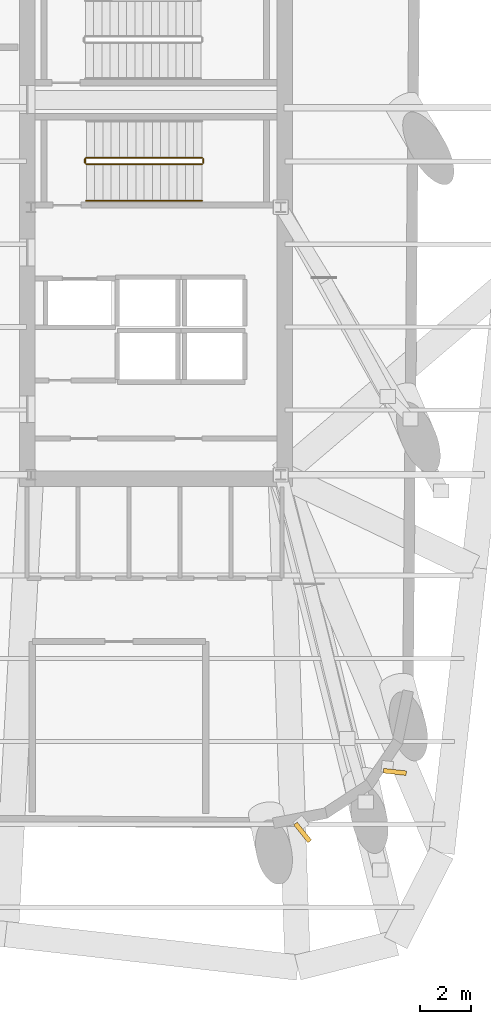
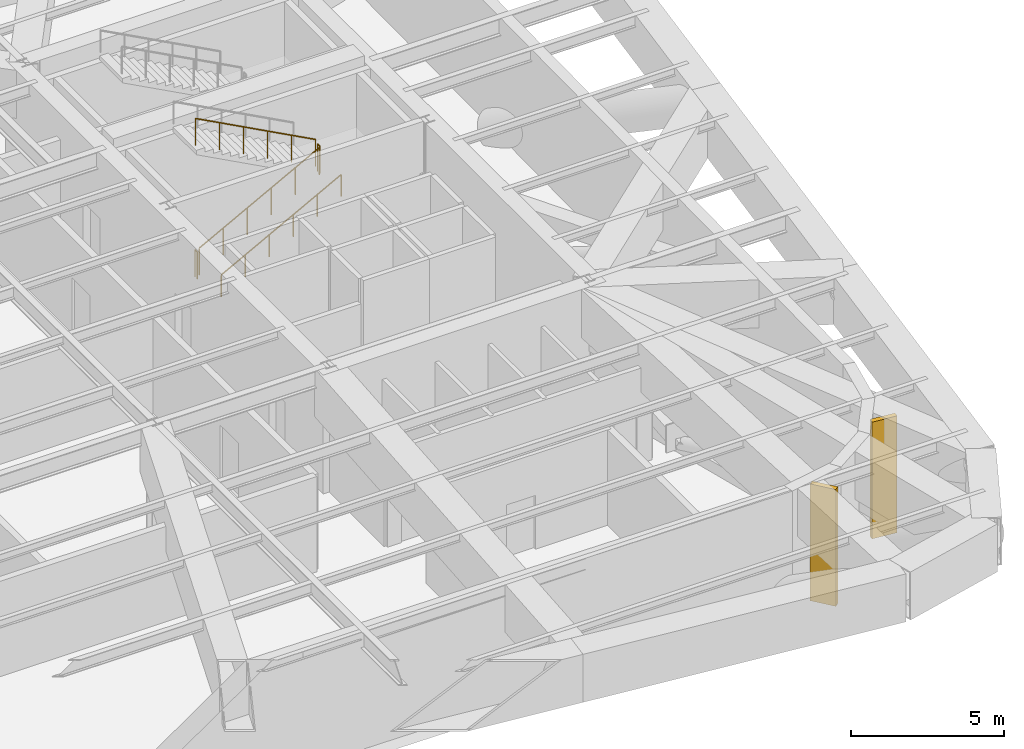
# One storey, part 11 of 13: 5 railings, 2 shading devices.
"""IFC4 building model written with IfcOpenShell, lengths in metres."""

import ifcopenshell
import ifcopenshell.guid

model = None  # the IFC model being written
_history = None  # IfcOwnerHistory: only IFC2X3 demands one
_inside = {}  # id of a spatial element -> (the spatial element, [elements in it])
_under = {}  # id of a project, library or spatial element -> (it, [spatial elements below it])
_declared = {}  # id of a project -> (the project, [libraries it declares])
_typed = {}  # id of a type object -> (the type object, [elements of that type])
_made_of = {}  # id of a material, layer set ... -> (it, [elements and type objects made of it])


def new_model(schema):
    """Start an empty IFC model of exactly this schema.

    Asked for "IFC4X3", IfcOpenShell would pick the latest addendum, in which some entities
    have other attributes; the version numbers below select the first issue.
    IFC2X3 requires an IfcOwnerHistory on every rooted entity: one is made here for all.
    """
    global model, _history
    if schema == "IFC4X3":
        model = ifcopenshell.file(schema_version=(4, 3, 0, 0))
    else:
        model = ifcopenshell.file(schema=schema)
    _inside.clear()
    _under.clear()
    _declared.clear()
    _typed.clear()
    _made_of.clear()
    _history = None
    if model.schema == "IFC2X3":
        org = make("IfcOrganization", Name="unknown")
        user = make(
            "IfcPersonAndOrganization",
            ThePerson=make("IfcPerson", FamilyName="unknown"),
            TheOrganization=org,
        )
        app = make(
            "IfcApplication",
            ApplicationDeveloper=org,
            Version="unknown",
            ApplicationFullName="unknown",
            ApplicationIdentifier="unknown",
        )
        _history = make(
            "IfcOwnerHistory",
            OwningUser=user,
            OwningApplication=app,
            ChangeAction="ADDED",
            CreationDate=0,
        )
    return model


def make(cls, **values):
    """One entity of the class cls with the attributes given. An attribute that is None is left unset."""
    return model.create_entity(
        cls, **{name: value for name, value in values.items() if value is not None}
    )


def rooted(cls, **values):
    """An entity with a GlobalId (a new one), such as an element, a storey or a relation."""
    return make(cls, GlobalId=ifcopenshell.guid.new(), OwnerHistory=_history, **values)


def si_unit(unit_type, name, prefix=None):
    """IfcSIUnit, for example si_unit("LENGTHUNIT", "METRE", prefix="MILLI")."""
    return make("IfcSIUnit", UnitType=unit_type, Prefix=prefix, Name=name)


def assignment(units):
    """IfcUnitAssignment: the units of a project."""
    return None if units is None else make("IfcUnitAssignment", Units=units)


def point(xyz):
    """IfcCartesianPoint."""
    return None if xyz is None else make("IfcCartesianPoint", Coordinates=xyz)


def direction(xyz):
    """IfcDirection."""
    return None if xyz is None else make("IfcDirection", DirectionRatios=xyz)


def frame(location, z_axis=None, x_axis=None):
    """IfcAxis2Placement3D, a coordinate frame: its origin and axes. An axis left out is left unset."""
    return make(
        "IfcAxis2Placement3D",
        Location=point(location),
        Axis=direction(z_axis),
        RefDirection=direction(x_axis),
    )


def frame_2d(location, x_axis=None):
    """IfcAxis2Placement2D, a coordinate frame in the plane: its origin and x axis."""
    return make(
        "IfcAxis2Placement2D", Location=point(location), RefDirection=direction(x_axis)
    )


def origin():
    """The frame at (0, 0, 0) with its axes left unset."""
    return frame((0.0, 0.0, 0.0))


def origin_2d():
    """The frame at (0, 0) in the plane with its x axis left unset."""
    return frame_2d((0.0, 0.0))


def place(relative_to, where):
    """IfcLocalPlacement: puts the frame where relative to a parent placement (None: the world)."""
    return make(
        "IfcLocalPlacement", PlacementRelTo=relative_to, RelativePlacement=where
    )


def context(
    kind, dimensions, precision=None, world=None, true_north=None, identifier=None
):
    """IfcGeometricRepresentationContext, for example the 3D "Model" context."""
    return make(
        "IfcGeometricRepresentationContext",
        ContextIdentifier=identifier,
        ContextType=kind,
        CoordinateSpaceDimension=dimensions,
        Precision=precision,
        WorldCoordinateSystem=world,
        TrueNorth=true_north,
    )


def subcontext(parent, identifier, kind, view, scale=None):
    """IfcGeometricRepresentationSubContext, for example "Body" below "Model"."""
    return make(
        "IfcGeometricRepresentationSubContext",
        ContextIdentifier=identifier,
        ContextType=kind,
        ParentContext=parent,
        TargetScale=scale,
        TargetView=view,
    )


def project(units=None, contexts=None):
    """IfcProject with its units and contexts."""
    return rooted(
        "IfcProject",
        Name="project",
        RepresentationContexts=contexts,
        UnitsInContext=assignment(units),
    )


def spatial(cls, under=None, at=None, **own):
    """A site, building, storey or space (cls), placed at a placement, below another one or the project."""
    s = rooted(cls, ObjectPlacement=at, **own)
    if under is not None:
        _under.setdefault(under.id(), (under, []))[1].append(s)
    return s


def profile(cls, at=None, kind="AREA", **sizes):
    """A parametric profile (cls). Its sizes go by their IFC names, for example OverallWidth=200.0."""
    return make(cls, ProfileType=kind, Position=at, **sizes)


def rectangle(**sizes):
    """IfcRectangleProfileDef."""
    return profile("IfcRectangleProfileDef", **sizes)


def circle(**sizes):
    """IfcCircleProfileDef."""
    return profile("IfcCircleProfileDef", **sizes)


def extrude(swept, where, along, depth):
    """IfcExtrudedAreaSolid: the profile swept, set in the frame where, extruded along a direction by depth."""
    return make(
        "IfcExtrudedAreaSolid",
        SweptArea=swept,
        Position=where,
        ExtrudedDirection=direction(along),
        Depth=depth,
    )


def shape(context_of_items, identifier, shape_type, items):
    """IfcShapeRepresentation: the items that make up one representation, for example the "Body"."""
    return make(
        "IfcShapeRepresentation",
        ContextOfItems=context_of_items,
        RepresentationIdentifier=identifier,
        RepresentationType=shape_type,
        Items=items,
    )


def material(Name=None, Category=None):
    """IfcMaterial."""
    return make("IfcMaterial", Name=Name, Category=Category)


def made_of(thing, what):
    """Note that an element or type object is made of a material, layer set ...; save() writes the relation."""
    if what is not None:
        _made_of.setdefault(what.id(), (what, []))[1].append(thing)
    return thing


def type_object(cls, material=None, **own):
    """A type object (cls), such as IfcWallType, which elements share."""
    return made_of(rooted(cls, **own), material)


def element(
    cls,
    number,
    at=None,
    inside=None,
    cuts=None,
    type_object=None,
    material=None,
    context=None,
    identifier="Body",
    shape_type=None,
    held_by="IfcProductDefinitionShape",
    body=None,
    shapes=None,
    **own,
):
    """One element of the class cls, such as IfcWall. Its Tag is "e" and its number.

    at: its placement. inside: the storey or other place that contains it. cuts: it is an
    opening in that element (IfcRelVoidsElement). A single representation is given by context,
    identifier, shape_type and body (its items); several are given by shapes. held_by: the class
    of the entity that holds the representations. save() writes the other relations.
    """
    e = rooted(cls, Tag="e%d" % number, ObjectPlacement=at, **own)
    if body is not None:
        shapes = [shape(context, identifier, shape_type, body)]
    if shapes is not None:
        e.Representation = make(held_by, Representations=shapes)
    if inside is not None:
        _inside.setdefault(inside.id(), (inside, []))[1].append(e)
    if cuts is not None:
        rooted(
            "IfcRelVoidsElement", RelatingBuildingElement=cuts, RelatedOpeningElement=e
        )
    if type_object is not None:
        _typed.setdefault(type_object.id(), (type_object, []))[1].append(e)
    return made_of(e, material)


def aggregate(whole, parts):
    """IfcRelAggregates: a whole, such as a stair, and the parts it consists of."""
    return rooted("IfcRelAggregates", RelatingObject=whole, RelatedObjects=parts)


def save(model, path):
    """Write the relations noted so far, then the file.

    IfcRelAggregates (storeys below a building ...), IfcRelContainedInSpatialStructure (elements
    in a storey), IfcRelDefinesByType, IfcRelAssociatesMaterial and IfcRelDeclares: one each for
    every whole, place, type object, material and project.
    """
    for whole, parts in _under.values():
        aggregate(whole, parts)
    for where, things in _inside.values():
        rooted(
            "IfcRelContainedInSpatialStructure",
            RelatedElements=things,
            RelatingStructure=where,
        )
    for kind, things in _typed.values():
        rooted("IfcRelDefinesByType", RelatedObjects=things, RelatingType=kind)
    for what, things in _made_of.values():
        rooted("IfcRelAssociatesMaterial", RelatedObjects=things, RelatingMaterial=what)
    for by, libraries in _declared.values():
        rooted("IfcRelDeclares", RelatingContext=by, RelatedDefinitions=libraries)
    model.write(path)


model = new_model("IFC4")

# Units and contexts
model_context = context("Model", 3, precision=1e-05, world=origin(), true_north=direction((0.0, 1.0)))
body_context = subcontext(model_context, "Body", "Model", "MODEL_VIEW")
ifc_project = project(units=[si_unit("LENGTHUNIT", "METRE"), si_unit("AREAUNIT", "SQUARE_METRE"), si_unit("VOLUMEUNIT", "CUBIC_METRE"), si_unit("PLANEANGLEUNIT", "RADIAN"), si_unit("MASSUNIT", "GRAM", prefix="KILO")], contexts=[model_context])

# Site, building, storey
site_placement = place(None, origin())
site = spatial("IfcSite", under=ifc_project, at=site_placement, CompositionType="ELEMENT")
building_placement = place(site_placement, origin())
building = spatial("IfcBuilding", under=site, at=building_placement, Name="Kolvaren Arena Tower", CompositionType="ELEMENT")
storey_placement = place(building_placement, frame((0.0, 0.0, 210.949951171875)))
storey = spatial("IfcBuildingStorey", under=building, at=storey_placement, Name="L51", CompositionType="ELEMENT", Elevation=210.949951171875)

# Railings
ifc_material_1 = material(Name="Painted galvanized steel", Category="steel")
railing_type_1 = type_object("IfcRailingType", Name="GUARD-ST-110", PredefinedType="GUARDRAIL", material=ifc_material_1)
railing_1_placement = place(storey_placement, frame((52.719970703125, 31.639892578125, 0.17333984375)))
element("IfcRailing", 1, at=railing_1_placement, inside=storey, type_object=railing_type_1, Name="L51 ST-E1 stair guard 1", PredefinedType="GUARDRAIL", context=body_context, shape_type="SweptSolid", body=[
    extrude(circle(Radius=0.02392578125, at=origin_2d()), frame((0.0, 0.0, 1.076171875), z_axis=(0.88174791909, 0.0, 0.471720899664), x_axis=(0.0, 1.0, 0.0)), (0.0, 0.0, 1.0), 5.14453125),
    extrude(circle(Radius=0.02099609375, at=origin_2d()), origin(), (0.0, 0.0, 1.0), 1.052001953125),
    extrude(circle(Radius=0.02099609375, at=origin_2d()), frame((0.9072265625, 0.0, 0.4853515625)), (0.0, 0.0, 1.0), 1.052001953125),
    extrude(circle(Radius=0.02099609375, at=origin_2d()), frame((1.814453125, 0.0, 0.970703125)), (0.0, 0.0, 1.0), 1.052001953125),
    extrude(circle(Radius=0.02099609375, at=origin_2d()), frame((2.7216796875, 0.0, 1.4560546875)), (0.0, 0.0, 1.0), 1.052001953125),
    extrude(circle(Radius=0.02099609375, at=origin_2d()), frame((3.62890625, 0.0, 1.94140625)), (0.0, 0.0, 1.0), 1.052001953125),
    extrude(circle(Radius=0.02099609375, at=origin_2d()), frame((4.5361328125, 0.0, 2.4267578125)), (0.0, 0.0, 1.0), 1.052001953125),
])
railing_2_placement = place(storey_placement, frame((57.305908203125, 31.68994140625, 2.60009765625)))
element("IfcRailing", 2, at=railing_2_placement, inside=storey, type_object=railing_type_1, Name="L51 ST-E1 stair guard 2", PredefinedType="GUARDRAIL", context=body_context, shape_type="SweptSolid", body=[
    extrude(circle(Radius=0.02392578125, at=origin_2d()), frame((0.0, 0.0, 1.076171875), z_axis=(0.0, 1.0, 0.0), x_axis=(-1.0, 0.0, 0.0)), (0.0, 0.0, 1.0), 0.150146484375),
    extrude(circle(Radius=0.02099609375, at=origin_2d()), origin(), (0.0, 0.0, 1.0), 1.052001953125),
    extrude(circle(Radius=0.02099609375, at=origin_2d()), frame((0.0, 0.150146484375, 0.0)), (0.0, 0.0, 1.0), 1.052001953125),
])
railing_3_placement = place(storey_placement, frame((57.256103515625, 31.889892578125, 2.7734375)))
element("IfcRailing", 3, at=railing_3_placement, inside=storey, type_object=railing_type_1, Name="L51 ST-E1 stair guard 3", PredefinedType="GUARDRAIL", context=body_context, shape_type="SweptSolid", body=[
    extrude(circle(Radius=0.02392578125, at=origin_2d()), frame((0.0, 0.0, 1.076171875), z_axis=(-0.881767657903, 0.0, 0.471684001717), x_axis=(0.0, -1.0, 0.0)), (0.0, 0.0, 1.0), 5.144287109375),
    extrude(circle(Radius=0.02099609375, at=origin_2d()), origin(), (0.0, 0.0, 1.0), 1.052001953125),
    extrude(circle(Radius=0.02099609375, at=origin_2d()), frame((-0.9072265625, 0.0, 0.4853515625)), (0.0, 0.0, 1.0), 1.052001953125),
    extrude(circle(Radius=0.02099609375, at=origin_2d()), frame((-1.814453125, 0.0, 0.970703125)), (0.0, 0.0, 1.0), 1.052001953125),
    extrude(circle(Radius=0.02099609375, at=origin_2d()), frame((-2.7216796875, 0.0, 1.455810546875)), (0.0, 0.0, 1.0), 1.052001953125),
    extrude(circle(Radius=0.02099609375, at=origin_2d()), frame((-3.62890625, 0.0, 1.941162109375)), (0.0, 0.0, 1.0), 1.052001953125),
    extrude(circle(Radius=0.02099609375, at=origin_2d()), frame((-4.5361328125, 0.0, 2.426513671875)), (0.0, 0.0, 1.0), 1.052001953125),
])
railing_4_placement = place(storey_placement, frame((52.669921875, 31.68994140625, 0.0)))
element("IfcRailing", 4, at=railing_4_placement, inside=storey, type_object=railing_type_1, Name="L51 ST-E1 stair guard 4", PredefinedType="GUARDRAIL", context=body_context, shape_type="SweptSolid", body=[
    extrude(circle(Radius=0.02392578125, at=origin_2d()), frame((0.0, 0.0, 1.076171875), z_axis=(0.0, 1.0, 0.0), x_axis=(-1.0, 0.0, 0.0)), (0.0, 0.0, 1.0), 0.150146484375),
    extrude(circle(Radius=0.02099609375, at=origin_2d()), origin(), (0.0, 0.0, 1.0), 1.052001953125),
    extrude(circle(Radius=0.02099609375, at=origin_2d()), frame((0.0, 0.150146484375, 0.0)), (0.0, 0.0, 1.0), 1.052001953125),
])
ifc_material_2 = material(Name="Brushed stainless steel handrail", Category="steel")
railing_type_2 = type_object("IfcRailingType", Name="HRAIL-900", PredefinedType="HANDRAIL", material=ifc_material_2)
railing_5_placement = place(storey_placement, frame((52.719970703125, 30.199951171875, 0.17333984375)))
element("IfcRailing", 5, at=railing_5_placement, inside=storey, type_object=railing_type_2, Name="L51 ST-E1 stair handrail 1", PredefinedType="HANDRAIL", context=body_context, shape_type="SweptSolid", body=[
    extrude(circle(Radius=0.02392578125, at=origin_2d()), frame((0.0, 0.0, 0.8759765625), z_axis=(0.88174791909, 0.0, 0.471720899664), x_axis=(0.0, 1.0, 0.0)), (0.0, 0.0, 1.0), 5.14453125),
    extrude(circle(Radius=0.02099609375, at=origin_2d()), origin(), (0.0, 0.0, 1.0), 0.851806640625),
    extrude(circle(Radius=0.02099609375, at=origin_2d()), frame((0.9072265625, 0.0, 0.4853515625)), (0.0, 0.0, 1.0), 0.851806640625),
    extrude(circle(Radius=0.02099609375, at=origin_2d()), frame((1.814453125, 0.0, 0.970703125)), (0.0, 0.0, 1.0), 0.851806640625),
    extrude(circle(Radius=0.02099609375, at=origin_2d()), frame((2.7216796875, 0.0, 1.4560546875)), (0.0, 0.0, 1.0), 0.851806640625),
    extrude(circle(Radius=0.02099609375, at=origin_2d()), frame((3.62890625, 0.0, 1.94140625)), (0.0, 0.0, 1.0), 0.851806640625),
    extrude(circle(Radius=0.02099609375, at=origin_2d()), frame((4.5361328125, 0.0, 2.4267578125)), (0.0, 0.0, 1.0), 0.851806640625),
])

# Shading devices
ifc_material_3 = material(Name="Precast architectural concrete C50/60 rib fin", Category="concrete")
shading_device_type = type_object("IfcShadingDeviceType", Name="SHAD-FIN-28", PredefinedType="USERDEFINED", material=ifc_material_3)
for number, where, z_axis, x_axis, name in (
    (6, (61.2021484375, 5.427978515625, 0.02001953125), (0.0, 0.0, 1.0), (0.625923472184, -0.779884483093, 0.0), "Precast 28-Deg Corner Rib Fin (L51)"),
    (7, (64.822509765625, 7.8017578125, 0.02001953125), (0.0, 0.0, 1.0), (0.994056908234, -0.108861669984, 0.0), "Precast 28-Deg Corner Rib Fin (L51)"),
):
    element("IfcShadingDevice", number, at=place(storey_placement, frame(where, z_axis=z_axis, x_axis=x_axis)), inside=storey, type_object=shading_device_type, Name=name, ObjectType="FIN", PredefinedType="USERDEFINED", context=body_context, shape_type="SweptSolid", body=[
        extrude(rectangle(XDim=0.89990234375, YDim=0.179931640625, at=origin_2d()), origin(), (0.0, 0.0, 1.0), 4.669921875),
    ])

save(model, "model.ifc")
